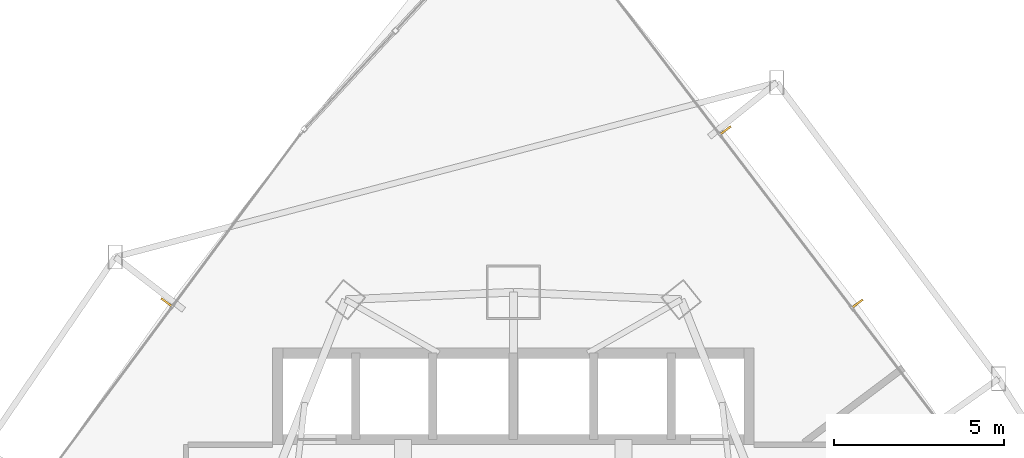
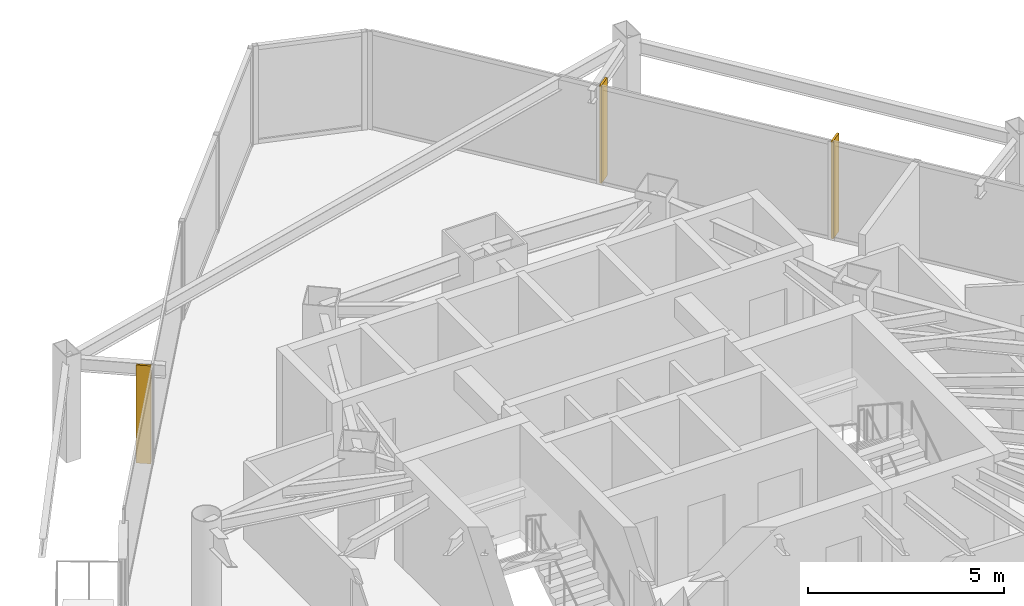
# One storey, part 38 of 38: 3 shading devices.
"""IFC4 building model written with IfcOpenShell, lengths in metres."""

from ifc_helpers import new_model, si_unit, direction, frame, origin, origin_2d, place, context, subcontext, project, spatial, rectangle, extrude, material, layer, layer_set, type_object, element, save


model = new_model("IFC4")

# Units and contexts
model_context = context("Model", 3, precision=1e-05, world=origin(), true_north=direction((0.0, 1.0)))
body_context = subcontext(model_context, "Body", "Model", "MODEL_VIEW")
ifc_project = project(units=[si_unit("LENGTHUNIT", "METRE"), si_unit("AREAUNIT", "SQUARE_METRE"), si_unit("VOLUMEUNIT", "CUBIC_METRE"), si_unit("PLANEANGLEUNIT", "RADIAN"), si_unit("MASSUNIT", "GRAM", prefix="KILO")], contexts=[model_context])

# Site, building, storey
site_placement = place(None, origin())
site = spatial("IfcSite", under=ifc_project, at=site_placement, CompositionType="ELEMENT")
building_placement = place(site_placement, origin())
building = spatial("IfcBuilding", under=site, at=building_placement, Name="Orvanel Arch Residences", CompositionType="ELEMENT")
storey_placement = place(building_placement, frame((0.0, 0.0, 46.699951171875)))
storey = spatial("IfcBuildingStorey", under=building, at=storey_placement, Name="L12", CompositionType="ELEMENT", Elevation=46.699951171875)

# Shading devices
ifc_material = material(Name="Bronze-anodised aluminium AA6063-T6", Category="aluminium")
ifc_layer = layer(ifc_material, 0.06005859375)
ifc_layer_set = layer_set([ifc_layer], Name="Bronze-anodised aluminium AA6063-T6")
shading_device_type = type_object("IfcShadingDeviceType", Name="FIN-BRZ-380", PredefinedType="USERDEFINED", material=ifc_layer_set)
for number, where, z_axis, x_axis, name in (
    (1, (22.764892578125, 41.10498046875, 0.0), (0.0, 0.0, 1.0), (-0.803856860617, 0.594822786751, 0.0), "L12 Anodised Bronze Mullion FIN 01"),
    (2, (43.155029296875, 41.068115234375, 0.0), (0.0, 0.0, 1.0), (0.795473480855, 0.605988400266, 0.0), "L12 Anodised Bronze Mullion FIN 01"),
    (3, (39.261962890625, 46.176025390625, 0.0), (0.0, 0.0, 1.0), (0.795473480855, 0.605988400266, 0.0), "L12 Anodised Bronze Mullion FIN 02"),
):
    element("IfcShadingDevice", number, at=place(storey_placement, frame(where, z_axis=z_axis, x_axis=x_axis)), inside=storey, type_object=shading_device_type, Name=name, ObjectType="FIN", PredefinedType="USERDEFINED", context=body_context, shape_type="SweptSolid", body=[
        extrude(rectangle(XDim=0.3798828125, YDim=0.06005859375, at=origin_2d()), origin(), (0.0, 0.0, 1.0), 3.06005859375),
    ])

save(model, "model.ifc")
